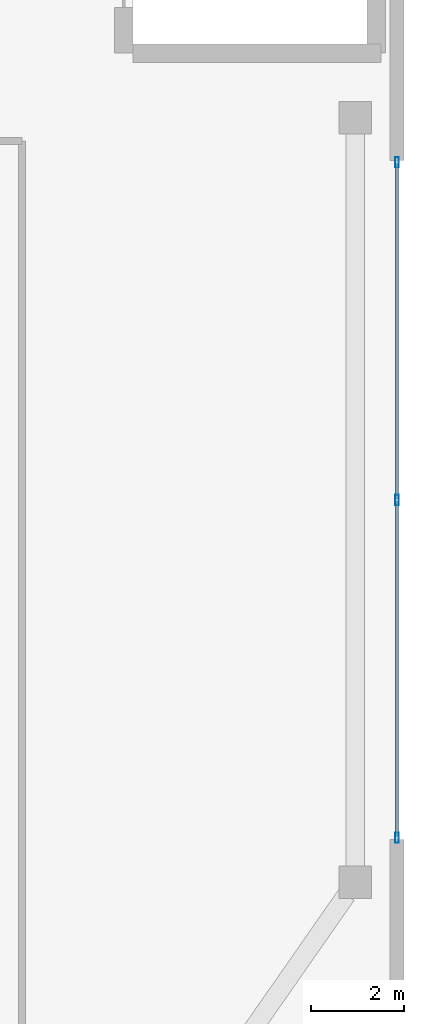
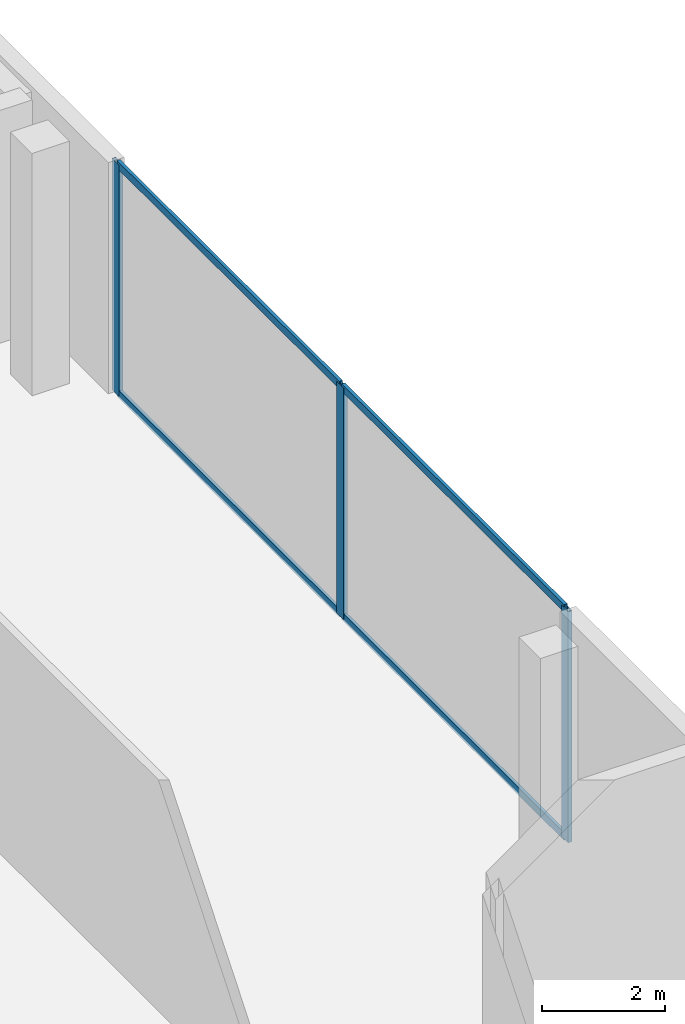
# One storey, part 18 of 28: 7 members, 1 element without a shape of its own.
"""IFC4 building model written with IfcOpenShell, lengths in metres."""

from ifc_helpers import new_model, si_unit, direction, frame, origin, origin_2d, place, context, subcontext, project, spatial, hollow_rectangle, extrude, material, layer, layer_set, material_profile, profile_set, type_object, element, aggregate, save


model = new_model("IFC4")

# Units and contexts
model_context = context("Model", 3, precision=1e-05, world=origin(), true_north=direction((0.0, 1.0)))
body_context = subcontext(model_context, "Body", "Model", "MODEL_VIEW")
ifc_project = project(units=[si_unit("LENGTHUNIT", "METRE"), si_unit("AREAUNIT", "SQUARE_METRE"), si_unit("VOLUMEUNIT", "CUBIC_METRE"), si_unit("PLANEANGLEUNIT", "RADIAN"), si_unit("MASSUNIT", "GRAM", prefix="KILO")], contexts=[model_context])

# Site, building, storey
site_placement = place(None, origin())
site = spatial("IfcSite", under=ifc_project, at=site_placement, CompositionType="ELEMENT")
building_placement = place(site_placement, origin())
building = spatial("IfcBuilding", under=site, at=building_placement, Name="Zuhayl Quay Hotel", CompositionType="ELEMENT")
storey_placement = place(building_placement, frame((0.0, 0.0, 22.800048828125)))
storey = spatial("IfcBuildingStorey", under=building, at=storey_placement, Name="L04", CompositionType="ELEMENT", Elevation=22.800048828125)

# Curtain wall, members
ifc_material_1 = material(Name="Anodised Aluminium 6063-T6", Category="aluminium")
ifc_layer = layer(ifc_material_1, 0.199951171875, Name="Anodised Aluminium 6063-T6", Category="aluminium")
ifc_layer_set = layer_set([ifc_layer], Name="Anodised Aluminium 6063-T6")
curtain_wall_type = type_object("IfcCurtainWallType", Name="CW_SYS_POD", PredefinedType="USERDEFINED", material=ifc_layer_set)
curtain_wall_placement = place(storey_placement, origin())
curtain_wall = element("IfcCurtainWall", 1, at=curtain_wall_placement, inside=storey, type_object=curtain_wall_type, Name="L04 Curtain Wall ENV_L04_E08_CW2", ObjectType="UNITISED CURTAIN WALL", PredefinedType="USERDEFINED")
ifc_material_2 = material(Name="Black-anodised aluminium 6063-T6", Category="aluminium")
ifc_material_profile_1 = material_profile(ifc_material_2, hollow_rectangle(XDim=0.074951171875, YDim=0.219970703125, WallThickness=0.00390625, at=origin_2d()), Name="ALU220X75")
ifc_profile_set_1 = profile_set([ifc_material_profile_1], Name="Black-anodised aluminium 6063-T6")
member_type_1 = type_object("IfcMemberType", Name="MB_CW_MUL_220", PredefinedType="MULLION", material=ifc_profile_set_1)
member_1_placement = place(storey_placement, frame((36.0, -0.95751953125, 0.0), z_axis=(0.0, 0.0, 1.0), x_axis=(1.0, 0.0, 0.0)))
member_1 = element("IfcMember", 2, at=member_1_placement, type_object=member_type_1, Name="CW-POD mullion 1", PredefinedType="MULLION", context=body_context, shape_type="SweptSolid", body=[
    extrude(hollow_rectangle(XDim=0.074951171875, YDim=0.219970703125, WallThickness=0.00390625, at=origin_2d()), origin(), (0.0, 0.0, 1.0), 4.579833984375),
])
member_2_placement = place(storey_placement, frame((36.0, -8.25, 0.0), z_axis=(0.0, 0.0, 1.0), x_axis=(1.0, 0.0, 0.0)))
member_2 = element("IfcMember", 3, at=member_2_placement, type_object=member_type_1, Name="CW-POD mullion 2", PredefinedType="MULLION", context=body_context, shape_type="SweptSolid", body=[
    extrude(hollow_rectangle(XDim=0.074951171875, YDim=0.219970703125, WallThickness=0.00390625, at=origin_2d()), origin(), (0.0, 0.0, 1.0), 4.579833984375),
])
member_3_placement = place(storey_placement, frame((36.0, -15.54248046875, 0.0), z_axis=(0.0, 0.0, 1.0), x_axis=(1.0, 0.0, 0.0)))
member_3 = element("IfcMember", 4, at=member_3_placement, type_object=member_type_1, Name="CW-POD mullion 3", PredefinedType="MULLION", context=body_context, shape_type="SweptSolid", body=[
    extrude(hollow_rectangle(XDim=0.074951171875, YDim=0.219970703125, WallThickness=0.00390625, at=origin_2d()), origin(), (0.0, 0.0, 1.0), 4.579833984375),
])
ifc_material_profile_2 = material_profile(ifc_material_2, hollow_rectangle(XDim=0.06005859375, YDim=0.14990234375, WallThickness=0.00341796875, at=origin_2d()), Name="ALU150X60")
ifc_profile_set_2 = profile_set([ifc_material_profile_2], Name="Black-anodised aluminium 6063-T6")
member_type_2 = type_object("IfcMemberType", Name="MB_CW_TRN_150", PredefinedType="USERDEFINED", material=ifc_profile_set_2)
member_4_placement = place(storey_placement, frame((36.0, -0.9951171875, 0.030029296875), z_axis=(0.0, -1.0, 0.0), x_axis=(1.0, 0.0, 0.0)))
member_4 = element("IfcMember", 5, at=member_4_placement, type_object=member_type_2, Name="CW-POD transom 1.1", ObjectType="TRANSOM", PredefinedType="USERDEFINED", context=body_context, shape_type="SweptSolid", body=[
    extrude(hollow_rectangle(XDim=0.06005859375, YDim=0.14990234375, WallThickness=0.00341796875, at=origin_2d()), origin(), (0.0, 0.0, 1.0), 7.21728515625),
])
member_5_placement = place(storey_placement, frame((36.0, -0.9951171875, 4.550048828125), z_axis=(0.0, -1.0, 0.0), x_axis=(1.0, 0.0, 0.0)))
member_5 = element("IfcMember", 6, at=member_5_placement, type_object=member_type_2, Name="CW-POD transom 1.2", ObjectType="TRANSOM", PredefinedType="USERDEFINED", context=body_context, shape_type="SweptSolid", body=[
    extrude(hollow_rectangle(XDim=0.06005859375, YDim=0.14990234375, WallThickness=0.00341796875, at=origin_2d()), origin(), (0.0, 0.0, 1.0), 7.21728515625),
])
member_6_placement = place(storey_placement, frame((36.0, -8.28759765625, 0.030029296875), z_axis=(0.0, -1.0, 0.0), x_axis=(1.0, 0.0, 0.0)))
member_6 = element("IfcMember", 7, at=member_6_placement, type_object=member_type_2, Name="CW-POD transom 2.1", ObjectType="TRANSOM", PredefinedType="USERDEFINED", context=body_context, shape_type="SweptSolid", body=[
    extrude(hollow_rectangle(XDim=0.06005859375, YDim=0.14990234375, WallThickness=0.00341796875, at=origin_2d()), origin(), (0.0, 0.0, 1.0), 7.21728515625),
])
member_7_placement = place(storey_placement, frame((36.0, -8.28759765625, 4.550048828125), z_axis=(0.0, -1.0, 0.0), x_axis=(1.0, 0.0, 0.0)))
member_7 = element("IfcMember", 8, at=member_7_placement, type_object=member_type_2, Name="CW-POD transom 2.2", ObjectType="TRANSOM", PredefinedType="USERDEFINED", context=body_context, shape_type="SweptSolid", body=[
    extrude(hollow_rectangle(XDim=0.06005859375, YDim=0.14990234375, WallThickness=0.00341796875, at=origin_2d()), origin(), (0.0, 0.0, 1.0), 7.21728515625),
])
aggregate(curtain_wall, [member_1, member_2, member_3, member_4, member_5, member_6, member_7])

save(model, "model.ifc")
